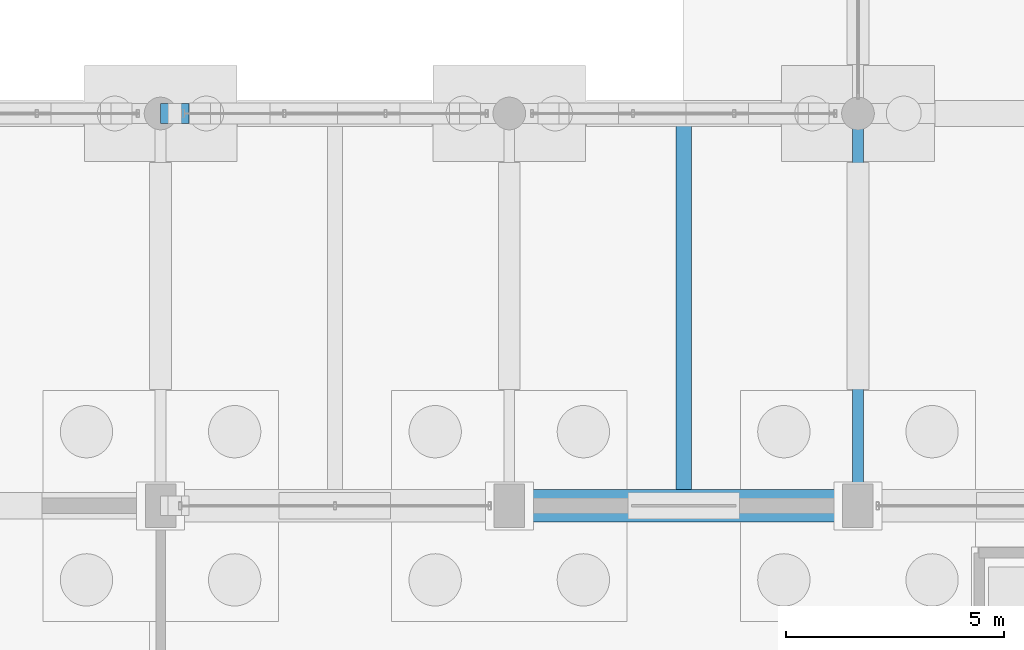
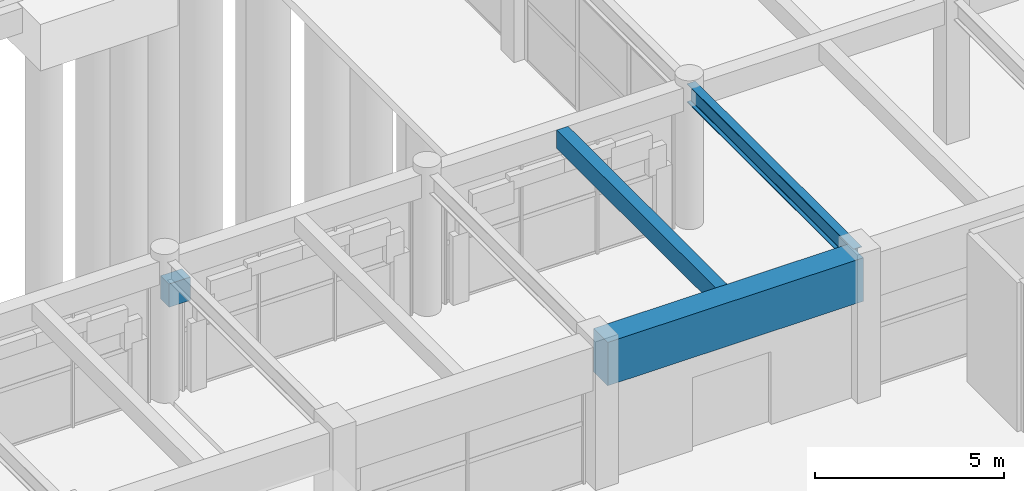
# One storey, part 60 of 147: 4 beams.
"""IFC4 building model written with IfcOpenShell, lengths in metres."""

from ifc_helpers import new_model, si_unit, direction, frame, origin, origin_2d, place, context, subcontext, project, spatial, rectangle, i_section, extrude, material, material_profile, profile_set, type_object, element, save


model = new_model("IFC4")

# Units and contexts
model_context = context("Model", 3, precision=1e-05, world=origin(), true_north=direction((0.0, 1.0)))
body_context = subcontext(model_context, "Body", "Model", "MODEL_VIEW")
ifc_project = project(units=[si_unit("LENGTHUNIT", "METRE"), si_unit("AREAUNIT", "SQUARE_METRE"), si_unit("VOLUMEUNIT", "CUBIC_METRE"), si_unit("PLANEANGLEUNIT", "RADIAN"), si_unit("MASSUNIT", "GRAM", prefix="KILO")], contexts=[model_context])

# Site, building, storey
site_placement = place(None, origin())
site = spatial("IfcSite", under=ifc_project, at=site_placement, CompositionType="ELEMENT")
building_placement = place(site_placement, origin())
building = spatial("IfcBuilding", under=site, at=building_placement, Name="Varnabhumi Central Station", CompositionType="ELEMENT")
storey_placement = place(building_placement, origin())
storey = spatial("IfcBuildingStorey", under=building, at=storey_placement, Name="L00", CompositionType="ELEMENT", Elevation=0.0)

# Beams
ifc_material_1 = material(Name="Concrete M50", Category="concrete")
ifc_material_profile_1 = material_profile(ifc_material_1, rectangle(XDim=0.75, YDim=1.39990234375, at=origin_2d()), Name="Concrete M50", Category="concrete")
ifc_profile_set_1 = profile_set([ifc_material_profile_1], Name="Concrete M50")
beam_type_1 = type_object("IfcBeamType", Name="BM-RC-1400x750", PredefinedType="BEAM", material=ifc_profile_set_1)
beam_1_placement = place(storey_placement, frame((72.10009765625, 80.0, 3.85009765625), z_axis=(1.0, 0.0, 0.0), x_axis=(0.0, 1.0, 0.0)))
element("IfcBeam", 1, at=beam_1_placement, inside=storey, type_object=beam_type_1, Name="Beam L00-K:10-11", PredefinedType="BEAM", context=body_context, shape_type="SweptSolid", body=[
    extrude(rectangle(XDim=0.75, YDim=1.39990234375, at=origin_2d()), origin(), (0.0, 0.0, 1.0), 7.7998046875),
])
ifc_material_2 = material(Name="Concrete M40", Category="concrete")
ifc_material_profile_2 = material_profile(ifc_material_2, rectangle(XDim=0.449951171875, YDim=0.75, at=origin_2d()), Name="Concrete M40", Category="concrete")
ifc_profile_set_2 = profile_set([ifc_material_profile_2], Name="Concrete M40")
beam_type_2 = type_object("IfcBeamType", Name="BM-RC-450x750", PredefinedType="BEAM", material=ifc_profile_set_2)
beam_2_placement = place(storey_placement, frame((64.0, 89.0, 3.344970703125), z_axis=(1.0, 0.0, 0.0), x_axis=(0.0, 1.0, 0.0)))
element("IfcBeam", 2, at=beam_2_placement, inside=storey, type_object=beam_type_2, Name="Movement Joint 650mm Corbel Seat L00-L-9", PredefinedType="BEAM", context=body_context, shape_type="SweptSolid", body=[
    extrude(rectangle(XDim=0.449951171875, YDim=0.75, at=origin_2d()), origin(), (0.0, 0.0, 1.0), 0.64990234375),
])
ifc_material_profile_3 = material_profile(ifc_material_2, rectangle(XDim=0.35009765625, YDim=0.60009765625, at=origin_2d()), Name="Concrete M40", Category="concrete")
ifc_profile_set_3 = profile_set([ifc_material_profile_3], Name="Concrete M40")
beam_type_3 = type_object("IfcBeamType", Name="BM-RC-600x350", PredefinedType="JOIST", material=ifc_profile_set_3)
beam_3_placement = place(storey_placement, frame((76.0, 80.375, 4.25), z_axis=(0.0, 1.0, 0.0), x_axis=(-1.0, 0.0, 0.0)))
element("IfcBeam", 3, at=beam_3_placement, inside=storey, type_object=beam_type_3, Name="Secondary Joist L00-10/11:K-L", PredefinedType="JOIST", context=body_context, shape_type="SweptSolid", body=[
    extrude(rectangle(XDim=0.35009765625, YDim=0.60009765625, at=origin_2d()), origin(), (0.0, 0.0, 1.0), 8.39990234375),
])
ifc_material_3 = material(Name="Structural steel E350", Category="steel")
ifc_material_profile_4 = material_profile(ifc_material_3, i_section(OverallWidth=0.25, OverallDepth=0.60009765625, WebThickness=0.01171875, FlangeThickness=0.023681640625, FilletRadius=0.01708984375, at=origin_2d()), Name="Structural steel E350", Category="steel")
ifc_profile_set_4 = profile_set([ifc_material_profile_4], Name="Structural steel E350")
beam_type_4 = type_object("IfcBeamType", Name="BM-SEC-ISWB600", PredefinedType="BEAM", material=ifc_profile_set_4)
beam_4_placement = place(storey_placement, frame((80.0, 80.10009765625, 4.25), z_axis=(0.0, 1.0, 0.0), x_axis=(-1.0, 0.0, 0.0)))
element("IfcBeam", 4, at=beam_4_placement, inside=storey, type_object=beam_type_4, Name="Beam L00-11:K-L", PredefinedType="BEAM", context=body_context, shape_type="SweptSolid", body=[
    extrude(i_section(OverallWidth=0.25, OverallDepth=0.60009765625, WebThickness=0.01171875, FlangeThickness=0.023681640625, FilletRadius=0.01708984375, at=origin_2d()), origin(), (0.0, 0.0, 1.0), 8.7998046875),
])

save(model, "model.ifc")
